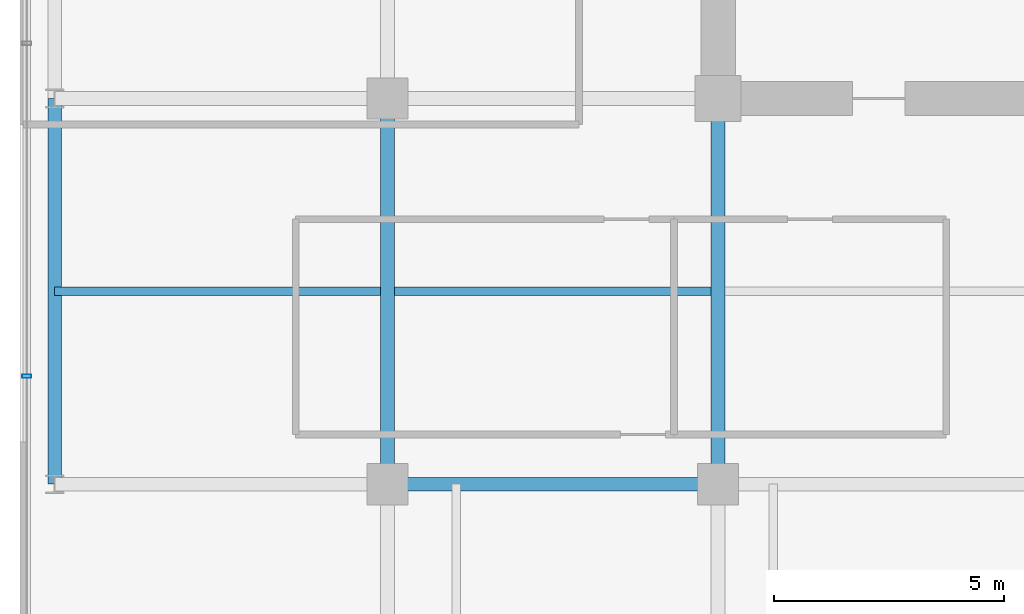
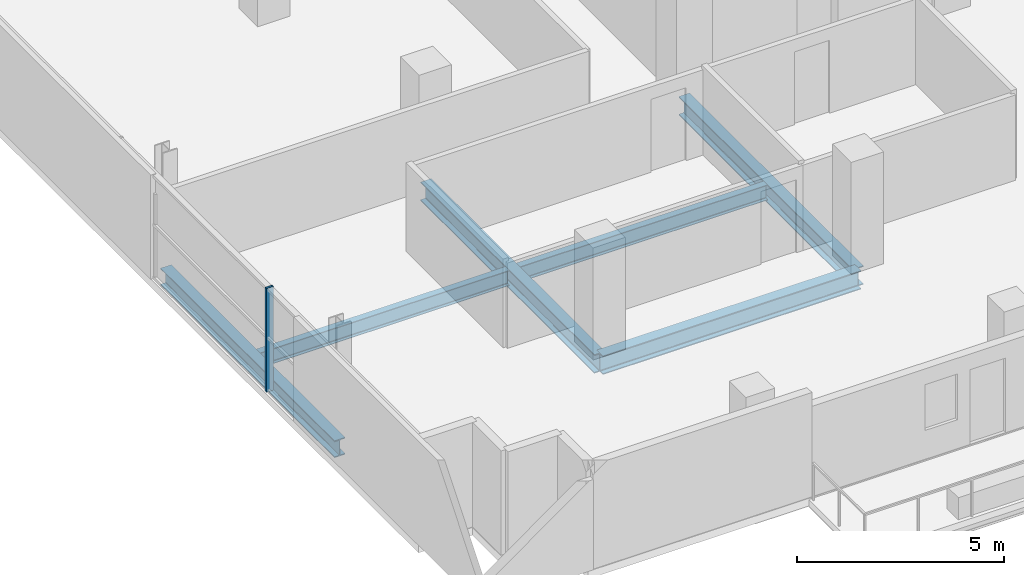
# One storey, part 4 of 25: 6 beams, 1 member, 1 element without a shape of its own.
"""IFC4 building model written with IfcOpenShell, lengths in metres."""

from ifc_helpers import new_model, si_unit, direction, frame, origin, origin_2d, place, context, subcontext, project, spatial, hollow_rectangle, i_section, extrude, source, transform, mapped, material, layer, layer_set, material_profile, profile_set, type_object, element, aggregate, save


model = new_model("IFC4")

# Units and contexts
model_context = context("Model", 3, precision=1e-05, world=origin(), true_north=direction((0.0, 1.0)))
body_context = subcontext(model_context, "Body", "Model", "MODEL_VIEW")
ifc_project = project(units=[si_unit("LENGTHUNIT", "METRE"), si_unit("AREAUNIT", "SQUARE_METRE"), si_unit("VOLUMEUNIT", "CUBIC_METRE"), si_unit("PLANEANGLEUNIT", "RADIAN"), si_unit("MASSUNIT", "GRAM", prefix="KILO")], contexts=[model_context])

# Site, building, storey
site_placement = place(None, origin())
site = spatial("IfcSite", under=ifc_project, at=site_placement, CompositionType="ELEMENT")
building_placement = place(site_placement, origin())
building = spatial("IfcBuilding", under=site, at=building_placement, Name="Zarnakvel Exchange Tower", CompositionType="ELEMENT")
storey_placement = place(building_placement, frame((0.0, 0.0, 93.39990234375)))
storey = spatial("IfcBuildingStorey", under=building, at=storey_placement, Name="L25", CompositionType="ELEMENT", Elevation=93.39990234375)

# Beams
ifc_material_1 = material(Name="Steel S355", Category="steel")
ifc_material_profile_1 = material_profile(ifc_material_1, i_section(OverallWidth=0.18994140625, OverallDepth=0.449951171875, WebThickness=0.009521484375, FlangeThickness=0.0146484375, FilletRadius=0.02099609375, at=origin_2d()))
ifc_profile_set_1 = profile_set([ifc_material_profile_1], Name="Steel S355")
beam_type_1 = type_object("IfcBeamType", Name="B-05", PredefinedType="JOIST", material=ifc_profile_set_1)
beam_1_placement = place(storey_placement, frame((-28.85009765625, -5.39990234375, -0.449951171875), z_axis=(1.0, 0.0, 0.0), x_axis=(0.0, 1.0, 0.0)))
element("IfcBeam", 1, at=beam_1_placement, inside=storey, type_object=beam_type_1, Name="L25 Composite Floor Secondary Joist", PredefinedType="JOIST", context=body_context, shape_type="SweptSolid", body=[
    extrude(i_section(OverallWidth=0.18994140625, OverallDepth=0.449951171875, WebThickness=0.009521484375, FlangeThickness=0.0146484375, FilletRadius=0.02099609375, at=origin_2d()), origin(), (0.0, 0.0, 1.0), 7.10009765625),
])
beam_2_placement = place(storey_placement, frame((-21.449951171875, -5.39990234375, -0.449951171875), z_axis=(1.0, 0.0, 0.0), x_axis=(0.0, 1.0, 0.0)))
element("IfcBeam", 2, at=beam_2_placement, inside=storey, type_object=beam_type_1, Name="L25 Composite Floor Secondary Joist", PredefinedType="JOIST", context=body_context, shape_type="SweptSolid", body=[
    extrude(i_section(OverallWidth=0.18994140625, OverallDepth=0.449951171875, WebThickness=0.009521484375, FlangeThickness=0.0146484375, FilletRadius=0.02099609375, at=origin_2d()), origin(), (0.0, 0.0, 1.0), 6.89990234375),
])
ifc_material_profile_2 = material_profile(ifc_material_1, i_section(OverallWidth=0.300048828125, OverallDepth=0.550048828125, WebThickness=0.014892578125, FlangeThickness=0.029052734375, FilletRadius=0.027099609375, at=origin_2d()))
ifc_profile_set_2 = profile_set([ifc_material_profile_2], Name="Steel S355")
beam_type_2 = type_object("IfcBeamType", Name="G-05", PredefinedType="BEAM", material=ifc_profile_set_2)
beam_3_placement = place(storey_placement, frame((-21.60009765625, -9.60009765625, -0.5), z_axis=(1.0, 0.0, 0.0), x_axis=(0.0, 1.0, 0.0)))
element("IfcBeam", 3, at=beam_3_placement, inside=storey, type_object=beam_type_2, Name="L25 Tower E-W Frame Beam", PredefinedType="BEAM", context=body_context, shape_type="SweptSolid", body=[
    extrude(i_section(OverallWidth=0.300048828125, OverallDepth=0.550048828125, WebThickness=0.014892578125, FlangeThickness=0.029052734375, FilletRadius=0.027099609375, at=origin_2d()), origin(), (0.0, 0.0, 1.0), 7.2001953125),
])
for number, where, z_axis, x_axis, name in (
    (4, (-21.60009765625, -9.60009765625, -0.5), (0.0, 1.0, 0.0), (-1.0, 0.0, 0.0), "L25 Tower N-S Frame Beam"),
    (5, (-14.39990234375, -9.60009765625, -0.5), (0.0, 1.0, 0.0), (-1.0, 0.0, 0.0), "L25 Tower N-S Frame Beam"),
):
    element("IfcBeam", number, at=place(storey_placement, frame(where, z_axis=z_axis, x_axis=x_axis)), inside=storey, type_object=beam_type_2, Name=name, PredefinedType="BEAM", context=body_context, shape_type="SweptSolid", body=[
        extrude(i_section(OverallWidth=0.300048828125, OverallDepth=0.550048828125, WebThickness=0.014892578125, FlangeThickness=0.029052734375, FilletRadius=0.027099609375, at=origin_2d()), origin(), (0.0, 0.0, 1.0), 8.400146484375),
    ])
ifc_material_profile_3 = material_profile(ifc_material_1, i_section(OverallWidth=0.300048828125, OverallDepth=0.5, WebThickness=0.014404296875, FlangeThickness=0.028076171875, FilletRadius=0.027099609375, at=origin_2d()))
ifc_profile_set_3 = profile_set([ifc_material_profile_3], Name="Steel S355")
beam_type_3 = type_object("IfcBeamType", Name="SP-02", PredefinedType="SPANDREL", material=ifc_profile_set_3)
beam_4_placement = place(storey_placement, frame((-28.85009765625, -9.60009765625, -0.474853515625), z_axis=(0.0, 1.0, 0.0), x_axis=(-1.0, 0.0, 0.0)))
element("IfcBeam", 6, at=beam_4_placement, inside=storey, type_object=beam_type_3, Name="L25 Tower N-S Frame Beam", PredefinedType="SPANDREL", context=body_context, shape_type="SweptSolid", body=[
    extrude(i_section(OverallWidth=0.300048828125, OverallDepth=0.5, WebThickness=0.014404296875, FlangeThickness=0.028076171875, FilletRadius=0.027099609375, at=origin_2d()), origin(), (0.0, 0.0, 1.0), 8.400146484375),
])

# Curtain wall, member
ifc_material_2 = material(Name="Architectural Bronze Anodised Aluminium", Category="aluminium")
ifc_layer = layer(ifc_material_2, 0.199951171875)
ifc_layer_set = layer_set([ifc_layer], Name="Architectural Bronze Anodised Aluminium")
curtain_wall_type = type_object("IfcCurtainWallType", Name="CW-04", PredefinedType="NOTDEFINED", material=ifc_layer_set)
curtain_wall_placement = place(storey_placement, origin())
curtain_wall = element("IfcCurtainWall", 7, at=curtain_wall_placement, inside=storey, type_object=curtain_wall_type, Name="L25 Curtain Wall CW-L25-W1 (CW-04)", PredefinedType="NOTDEFINED")
ifc_material_profile_4 = material_profile(ifc_material_2, hollow_rectangle(XDim=0.199951171875, YDim=0.074951171875, WallThickness=0.0048828125, at=origin_2d()))
ifc_profile_set_4 = profile_set([ifc_material_profile_4], Name="Architectural Bronze Anodised Aluminium")
member_type = type_object("IfcMemberType", Name="CWM-04", PredefinedType="MULLION", material=ifc_profile_set_4)
shared_shape = source(origin(), body_context, "Body", "SweptSolid", [
    extrude(hollow_rectangle(XDim=0.199951171875, YDim=0.074951171875, WallThickness=0.0048828125, at=origin_2d()), origin(), (0.0, 0.0, 1.0), 3.05517578125),
])
member_placement = place(storey_placement, frame((-29.4599609375, -7.25, 0.0), z_axis=(0.0, 0.0, 1.0), x_axis=(-1.0, 0.0, 0.0)))
member = element("IfcMember", 8, at=member_placement, type_object=member_type, Name="CW-04 mullion 2", PredefinedType="MULLION", context=body_context, shape_type="MappedRepresentation", body=[
    mapped(shared_shape, transform((0.0, 0.0, 0.0), x_axis=(1.0, 0.0, 0.0), y_axis=(0.0, 1.0, 0.0), z_axis=(0.0, 0.0, 1.0), scale=1.0)),
])
aggregate(curtain_wall, [member])

save(model, "model.ifc")
